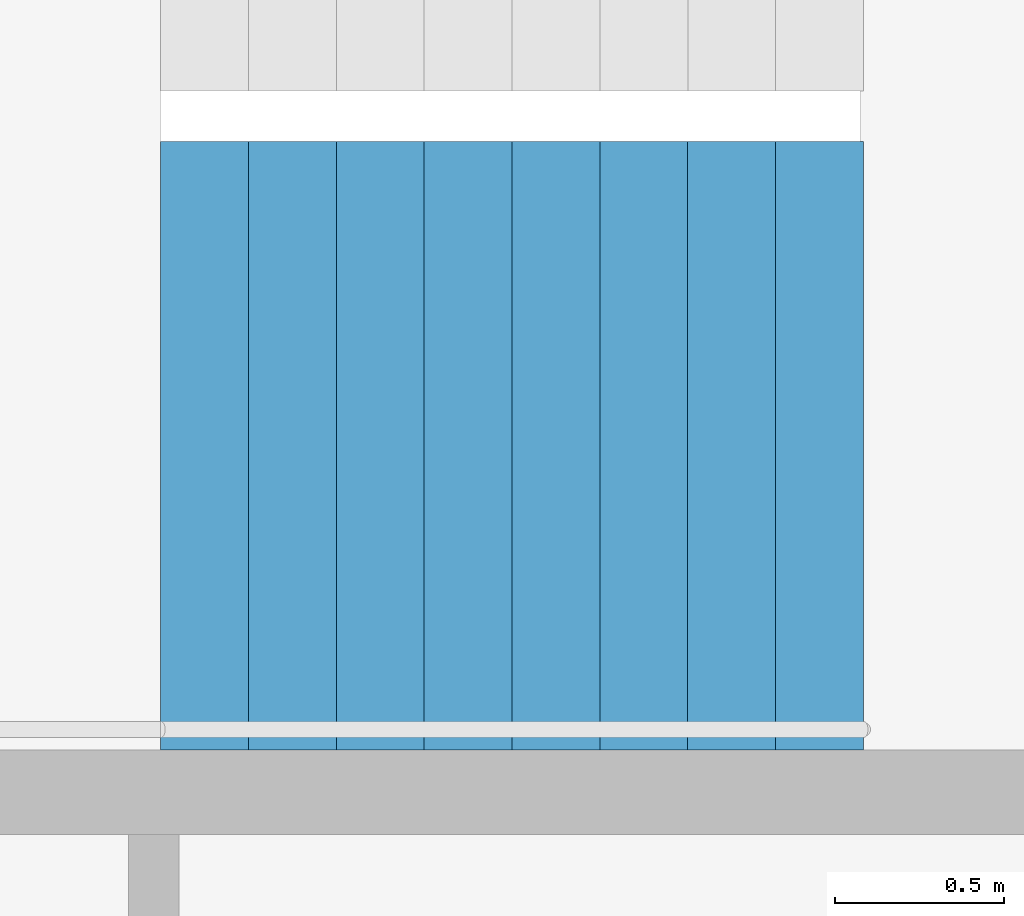
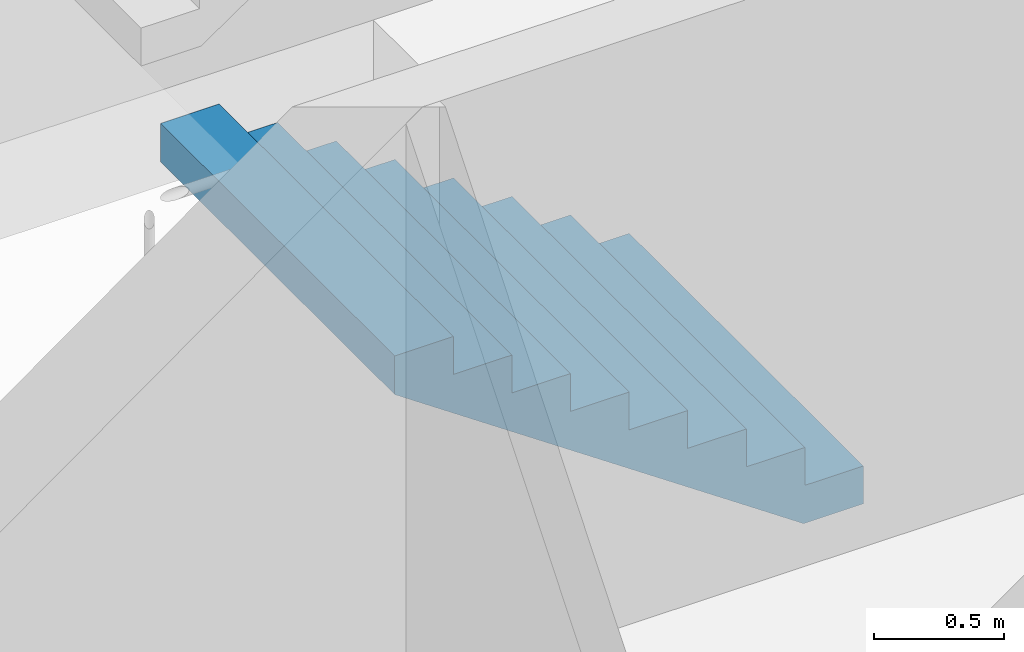
# One storey, part 24 of 26: 1 stair flight, 1 element without a shape of its own.
"""IFC4 building model written with IfcOpenShell, lengths in metres."""

import ifcopenshell
import ifcopenshell.guid

model = None  # the IFC model being written
_history = None  # IfcOwnerHistory: only IFC2X3 demands one
_inside = {}  # id of a spatial element -> (the spatial element, [elements in it])
_under = {}  # id of a project, library or spatial element -> (it, [spatial elements below it])
_declared = {}  # id of a project -> (the project, [libraries it declares])
_typed = {}  # id of a type object -> (the type object, [elements of that type])
_made_of = {}  # id of a material, layer set ... -> (it, [elements and type objects made of it])


def new_model(schema):
    """Start an empty IFC model of exactly this schema.

    Asked for "IFC4X3", IfcOpenShell would pick the latest addendum, in which some entities
    have other attributes; the version numbers below select the first issue.
    IFC2X3 requires an IfcOwnerHistory on every rooted entity: one is made here for all.
    """
    global model, _history
    if schema == "IFC4X3":
        model = ifcopenshell.file(schema_version=(4, 3, 0, 0))
    else:
        model = ifcopenshell.file(schema=schema)
    _inside.clear()
    _under.clear()
    _declared.clear()
    _typed.clear()
    _made_of.clear()
    _history = None
    if model.schema == "IFC2X3":
        org = make("IfcOrganization", Name="unknown")
        user = make(
            "IfcPersonAndOrganization",
            ThePerson=make("IfcPerson", FamilyName="unknown"),
            TheOrganization=org,
        )
        app = make(
            "IfcApplication",
            ApplicationDeveloper=org,
            Version="unknown",
            ApplicationFullName="unknown",
            ApplicationIdentifier="unknown",
        )
        _history = make(
            "IfcOwnerHistory",
            OwningUser=user,
            OwningApplication=app,
            ChangeAction="ADDED",
            CreationDate=0,
        )
    return model


def make(cls, **values):
    """One entity of the class cls with the attributes given. An attribute that is None is left unset."""
    return model.create_entity(
        cls, **{name: value for name, value in values.items() if value is not None}
    )


def rooted(cls, **values):
    """An entity with a GlobalId (a new one), such as an element, a storey or a relation."""
    return make(cls, GlobalId=ifcopenshell.guid.new(), OwnerHistory=_history, **values)


def si_unit(unit_type, name, prefix=None):
    """IfcSIUnit, for example si_unit("LENGTHUNIT", "METRE", prefix="MILLI")."""
    return make("IfcSIUnit", UnitType=unit_type, Prefix=prefix, Name=name)


def assignment(units):
    """IfcUnitAssignment: the units of a project."""
    return None if units is None else make("IfcUnitAssignment", Units=units)


def point(xyz):
    """IfcCartesianPoint."""
    return None if xyz is None else make("IfcCartesianPoint", Coordinates=xyz)


def direction(xyz):
    """IfcDirection."""
    return None if xyz is None else make("IfcDirection", DirectionRatios=xyz)


def frame(location, z_axis=None, x_axis=None):
    """IfcAxis2Placement3D, a coordinate frame: its origin and axes. An axis left out is left unset."""
    return make(
        "IfcAxis2Placement3D",
        Location=point(location),
        Axis=direction(z_axis),
        RefDirection=direction(x_axis),
    )


def origin():
    """The frame at (0, 0, 0) with its axes left unset."""
    return frame((0.0, 0.0, 0.0))


def place(relative_to, where):
    """IfcLocalPlacement: puts the frame where relative to a parent placement (None: the world)."""
    return make(
        "IfcLocalPlacement", PlacementRelTo=relative_to, RelativePlacement=where
    )


def context(
    kind, dimensions, precision=None, world=None, true_north=None, identifier=None
):
    """IfcGeometricRepresentationContext, for example the 3D "Model" context."""
    return make(
        "IfcGeometricRepresentationContext",
        ContextIdentifier=identifier,
        ContextType=kind,
        CoordinateSpaceDimension=dimensions,
        Precision=precision,
        WorldCoordinateSystem=world,
        TrueNorth=true_north,
    )


def subcontext(parent, identifier, kind, view, scale=None):
    """IfcGeometricRepresentationSubContext, for example "Body" below "Model"."""
    return make(
        "IfcGeometricRepresentationSubContext",
        ContextIdentifier=identifier,
        ContextType=kind,
        ParentContext=parent,
        TargetScale=scale,
        TargetView=view,
    )


def project(units=None, contexts=None):
    """IfcProject with its units and contexts."""
    return rooted(
        "IfcProject",
        Name="project",
        RepresentationContexts=contexts,
        UnitsInContext=assignment(units),
    )


def spatial(cls, under=None, at=None, **own):
    """A site, building, storey or space (cls), placed at a placement, below another one or the project."""
    s = rooted(cls, ObjectPlacement=at, **own)
    if under is not None:
        _under.setdefault(under.id(), (under, []))[1].append(s)
    return s


def point_list(points):
    """IfcCartesianPointList2D or 3D."""
    cls = (
        "IfcCartesianPointList2D" if len(points[0]) == 2 else "IfcCartesianPointList3D"
    )
    return make(cls, CoordList=points)


def triangles(points, corners, closed=None, point_numbers=None):
    """IfcTriangulatedFaceSet: each triangle names its three corners, points numbered from 1."""
    return make(
        "IfcTriangulatedFaceSet",
        Coordinates=point_list(points),
        Closed=closed,
        CoordIndex=corners,
        PnIndex=point_numbers,
    )


def shape(context_of_items, identifier, shape_type, items):
    """IfcShapeRepresentation: the items that make up one representation, for example the "Body"."""
    return make(
        "IfcShapeRepresentation",
        ContextOfItems=context_of_items,
        RepresentationIdentifier=identifier,
        RepresentationType=shape_type,
        Items=items,
    )


def material(Name=None, Category=None):
    """IfcMaterial."""
    return make("IfcMaterial", Name=Name, Category=Category)


def made_of(thing, what):
    """Note that an element or type object is made of a material, layer set ...; save() writes the relation."""
    if what is not None:
        _made_of.setdefault(what.id(), (what, []))[1].append(thing)
    return thing


def type_object(cls, material=None, **own):
    """A type object (cls), such as IfcWallType, which elements share."""
    return made_of(rooted(cls, **own), material)


def element(
    cls,
    number,
    at=None,
    inside=None,
    cuts=None,
    type_object=None,
    material=None,
    context=None,
    identifier="Body",
    shape_type=None,
    held_by="IfcProductDefinitionShape",
    body=None,
    shapes=None,
    **own,
):
    """One element of the class cls, such as IfcWall. Its Tag is "e" and its number.

    at: its placement. inside: the storey or other place that contains it. cuts: it is an
    opening in that element (IfcRelVoidsElement). A single representation is given by context,
    identifier, shape_type and body (its items); several are given by shapes. held_by: the class
    of the entity that holds the representations. save() writes the other relations.
    """
    e = rooted(cls, Tag="e%d" % number, ObjectPlacement=at, **own)
    if body is not None:
        shapes = [shape(context, identifier, shape_type, body)]
    if shapes is not None:
        e.Representation = make(held_by, Representations=shapes)
    if inside is not None:
        _inside.setdefault(inside.id(), (inside, []))[1].append(e)
    if cuts is not None:
        rooted(
            "IfcRelVoidsElement", RelatingBuildingElement=cuts, RelatedOpeningElement=e
        )
    if type_object is not None:
        _typed.setdefault(type_object.id(), (type_object, []))[1].append(e)
    return made_of(e, material)


def aggregate(whole, parts):
    """IfcRelAggregates: a whole, such as a stair, and the parts it consists of."""
    return rooted("IfcRelAggregates", RelatingObject=whole, RelatedObjects=parts)


def save(model, path):
    """Write the relations noted so far, then the file.

    IfcRelAggregates (storeys below a building ...), IfcRelContainedInSpatialStructure (elements
    in a storey), IfcRelDefinesByType, IfcRelAssociatesMaterial and IfcRelDeclares: one each for
    every whole, place, type object, material and project.
    """
    for whole, parts in _under.values():
        aggregate(whole, parts)
    for where, things in _inside.values():
        rooted(
            "IfcRelContainedInSpatialStructure",
            RelatedElements=things,
            RelatingStructure=where,
        )
    for kind, things in _typed.values():
        rooted("IfcRelDefinesByType", RelatedObjects=things, RelatingType=kind)
    for what, things in _made_of.values():
        rooted("IfcRelAssociatesMaterial", RelatedObjects=things, RelatingMaterial=what)
    for by, libraries in _declared.values():
        rooted("IfcRelDeclares", RelatingContext=by, RelatedDefinitions=libraries)
    model.write(path)


model = new_model("IFC4")

# Units and contexts
model_context = context("Model", 3, precision=1e-05, world=origin(), true_north=direction((0.0, 1.0)))
body_context = subcontext(model_context, "Body", "Model", "MODEL_VIEW")
ifc_project = project(units=[si_unit("LENGTHUNIT", "METRE"), si_unit("AREAUNIT", "SQUARE_METRE"), si_unit("VOLUMEUNIT", "CUBIC_METRE"), si_unit("PLANEANGLEUNIT", "RADIAN"), si_unit("MASSUNIT", "GRAM", prefix="KILO")], contexts=[model_context])

# Site, building, storey
site_placement = place(None, origin())
site = spatial("IfcSite", under=ifc_project, at=site_placement, CompositionType="ELEMENT")
building_placement = place(site_placement, origin())
building = spatial("IfcBuilding", under=site, at=building_placement, Name="Hakoniwa Tower and Hamabe Station Hall", CompositionType="ELEMENT")
storey_placement = place(building_placement, frame((0.0, 0.0, 189.800048828125)))
storey = spatial("IfcBuildingStorey", under=building, at=storey_placement, Name="L53", CompositionType="ELEMENT", Elevation=189.800048828125)

# Stair, stair flight
ifc_material_1 = material(Name="Concrete C40", Category="concrete")
stair_type = type_object("IfcStairType", Name="ESCAPE STAIR 1800", PredefinedType="HALF_TURN_STAIR", material=ifc_material_1)
stair_placement = place(storey_placement, origin())
stair = element("IfcStair", 1, at=stair_placement, inside=storey, type_object=stair_type, Name="Escape stair ST-3 L53", PredefinedType="HALF_TURN_STAIR")
ifc_material_2 = material(Name="Concrete C40", Category="concrete")
stair_flight_type = type_object("IfcStairFlightType", Name="STAIR FLIGHT 1800", PredefinedType="STRAIGHT", material=ifc_material_2)
stair_flight_placement = place(storey_placement, frame((24.39990234375, 4.64990234375, 0.0), z_axis=(0.0, 0.0, 1.0), x_axis=(-1.0, 0.0, 0.0)))
stair_flight = element("IfcStairFlight", 2, at=stair_flight_placement, type_object=stair_flight_type, Name="ST-3 flight 1", NumberOfRisers=9, NumberOfTreads=8, PredefinedType="STRAIGHT", RiserHeight=0.177777778, TreadLength=0.26, context=body_context, shape_type="Tessellation", body=[
    triangles([(0.0, 0.89990234375, 0.0), (0.260009765625, 0.89990234375, 0.0), (0.265625, 0.89990234375, 0.0), (0.52001953125, 0.89990234375, 0.174072265625), (0.780029296875, 0.89990234375, 0.351806640625), (1.0400390625, 0.89990234375, 0.529541015625), (1.300048828125, 0.89990234375, 0.707275390625), (1.56005859375, 0.89990234375, 0.885009765625), (1.820068359375, 0.89990234375, 1.062744140625), (2.080078125, 0.89990234375, 1.24072265625), (2.080078125, 0.89990234375, 1.422119140625), (1.820068359375, 0.89990234375, 1.422119140625), (1.820068359375, 0.89990234375, 1.244384765625), (1.56005859375, 0.89990234375, 1.244384765625), (1.56005859375, 0.89990234375, 1.066650390625), (1.300048828125, 0.89990234375, 1.066650390625), (1.300048828125, 0.89990234375, 0.888916015625), (1.0400390625, 0.89990234375, 0.888916015625), (1.0400390625, 0.89990234375, 0.711181640625), (0.780029296875, 0.89990234375, 0.711181640625), (0.780029296875, 0.89990234375, 0.533447265625), (0.52001953125, 0.89990234375, 0.533447265625), (0.52001953125, 0.89990234375, 0.35546875), (0.265625, 0.89990234375, 0.35546875), (0.260009765625, 0.89990234375, 0.35546875), (0.260009765625, 0.89990234375, 0.177734375), (0.0, 0.89990234375, 0.177734375), (0.0, 0.06005859375, 0.0), (0.260009765625, 0.06005859375, 0.0), (0.265625, 0.06005859375, 0.0), (0.52001953125, 0.06005859375, 0.174072265625), (0.780029296875, 0.06005859375, 0.351806640625), (1.0400390625, 0.06005859375, 0.529541015625), (1.300048828125, 0.06005859375, 0.707275390625), (1.56005859375, 0.06005859375, 0.885009765625), (1.820068359375, 0.06005859375, 1.062744140625), (2.080078125, 0.06005859375, 1.24072265625), (2.080078125, 0.06005859375, 1.422119140625), (1.820068359375, 0.06005859375, 1.422119140625), (1.820068359375, 0.06005859375, 1.244384765625), (1.56005859375, 0.06005859375, 1.244384765625), (1.56005859375, 0.06005859375, 1.066650390625), (1.300048828125, 0.06005859375, 1.066650390625), (1.300048828125, 0.06005859375, 0.888916015625), (1.0400390625, 0.06005859375, 0.888916015625), (1.0400390625, 0.06005859375, 0.711181640625), (0.780029296875, 0.06005859375, 0.711181640625), (0.780029296875, 0.06005859375, 0.533447265625), (0.52001953125, 0.06005859375, 0.533447265625), (0.52001953125, 0.06005859375, 0.35546875), (0.265625, 0.06005859375, 0.35546875), (0.260009765625, 0.06005859375, 0.35546875), (0.260009765625, 0.06005859375, 0.177734375), (0.0, 0.06005859375, 0.177734375), (0.0, 0.04296875, 0.0), (0.260009765625, 0.04296875, 0.0), (0.265625, 0.04296875, 0.0), (0.52001953125, 0.04296875, 0.174072265625), (0.780029296875, 0.04296875, 0.351806640625), (1.0400390625, 0.04296875, 0.529541015625), (1.300048828125, 0.04296875, 0.707275390625), (1.56005859375, 0.04296875, 0.885009765625), (1.820068359375, 0.04296875, 1.062744140625), (2.080078125, 0.04296875, 1.24072265625), (2.080078125, 0.04296875, 1.422119140625), (1.820068359375, 0.04296875, 1.422119140625), (1.820068359375, 0.04296875, 1.244384765625), (1.56005859375, 0.04296875, 1.244384765625), (1.56005859375, 0.04296875, 1.066650390625), (1.300048828125, 0.04296875, 1.066650390625), (1.300048828125, 0.04296875, 0.888916015625), (1.0400390625, 0.04296875, 0.888916015625), (1.0400390625, 0.04296875, 0.711181640625), (0.780029296875, 0.04296875, 0.711181640625), (0.780029296875, 0.04296875, 0.533447265625), (0.52001953125, 0.04296875, 0.533447265625), (0.52001953125, 0.04296875, 0.35546875), (0.265625, 0.04296875, 0.35546875), (0.260009765625, 0.04296875, 0.35546875), (0.260009765625, 0.04296875, 0.177734375), (0.0, 0.04296875, 0.177734375), (0.0, 0.025634765625, 0.0), (0.260009765625, 0.025634765625, 0.0), (0.265625, 0.025634765625, 0.0), (0.52001953125, 0.025634765625, 0.174072265625), (0.780029296875, 0.025634765625, 0.351806640625), (1.0400390625, 0.025634765625, 0.529541015625), (1.300048828125, 0.025634765625, 0.707275390625), (1.56005859375, 0.025634765625, 0.885009765625), (1.820068359375, 0.025634765625, 1.062744140625), (2.080078125, 0.025634765625, 1.24072265625), (2.080078125, 0.025634765625, 1.422119140625), (1.820068359375, 0.025634765625, 1.422119140625), (1.820068359375, 0.025634765625, 1.244384765625), (1.56005859375, 0.025634765625, 1.244384765625), (1.56005859375, 0.025634765625, 1.066650390625), (1.300048828125, 0.025634765625, 1.066650390625), (1.300048828125, 0.025634765625, 0.888916015625), (1.0400390625, 0.025634765625, 0.888916015625), (1.0400390625, 0.025634765625, 0.711181640625), (0.780029296875, 0.025634765625, 0.711181640625), (0.780029296875, 0.025634765625, 0.533447265625), (0.52001953125, 0.025634765625, 0.533447265625), (0.52001953125, 0.025634765625, 0.35546875), (0.265625, 0.025634765625, 0.35546875), (0.260009765625, 0.025634765625, 0.35546875), (0.260009765625, 0.025634765625, 0.177734375), (0.0, 0.025634765625, 0.177734375), (0.0, 0.008544921875, 0.0), (0.260009765625, 0.008544921875, 0.0), (0.265625, 0.008544921875, 0.0), (0.52001953125, 0.008544921875, 0.174072265625), (0.780029296875, 0.008544921875, 0.351806640625), (1.0400390625, 0.008544921875, 0.529541015625), (1.300048828125, 0.008544921875, 0.707275390625), (1.56005859375, 0.008544921875, 0.885009765625), (1.820068359375, 0.008544921875, 1.062744140625), (2.080078125, 0.008544921875, 1.24072265625), (2.080078125, 0.008544921875, 1.422119140625), (1.820068359375, 0.008544921875, 1.422119140625), (1.820068359375, 0.008544921875, 1.244384765625), (1.56005859375, 0.008544921875, 1.244384765625), (1.56005859375, 0.008544921875, 1.066650390625), (1.300048828125, 0.008544921875, 1.066650390625), (1.300048828125, 0.008544921875, 0.888916015625), (1.0400390625, 0.008544921875, 0.888916015625), (1.0400390625, 0.008544921875, 0.711181640625), (0.780029296875, 0.008544921875, 0.711181640625), (0.780029296875, 0.008544921875, 0.533447265625), (0.52001953125, 0.008544921875, 0.533447265625), (0.52001953125, 0.008544921875, 0.35546875), (0.265625, 0.008544921875, 0.35546875), (0.260009765625, 0.008544921875, 0.35546875), (0.260009765625, 0.008544921875, 0.177734375), (0.0, 0.008544921875, 0.177734375), (0.0, -0.008544921875, 0.0), (0.260009765625, -0.008544921875, 0.0), (0.265625, -0.008544921875, 0.0), (0.52001953125, -0.008544921875, 0.174072265625), (0.780029296875, -0.008544921875, 0.351806640625), (1.0400390625, -0.008544921875, 0.529541015625), (1.300048828125, -0.008544921875, 0.707275390625), (1.56005859375, -0.008544921875, 0.885009765625), (1.820068359375, -0.008544921875, 1.062744140625), (2.080078125, -0.008544921875, 1.24072265625), (2.080078125, -0.008544921875, 1.422119140625), (1.820068359375, -0.008544921875, 1.422119140625), (1.820068359375, -0.008544921875, 1.244384765625), (1.56005859375, -0.008544921875, 1.244384765625), (1.56005859375, -0.008544921875, 1.066650390625), (1.300048828125, -0.008544921875, 1.066650390625), (1.300048828125, -0.008544921875, 0.888916015625), (1.0400390625, -0.008544921875, 0.888916015625), (1.0400390625, -0.008544921875, 0.711181640625), (0.780029296875, -0.008544921875, 0.711181640625), (0.780029296875, -0.008544921875, 0.533447265625), (0.52001953125, -0.008544921875, 0.533447265625), (0.52001953125, -0.008544921875, 0.35546875), (0.265625, -0.008544921875, 0.35546875), (0.260009765625, -0.008544921875, 0.35546875), (0.260009765625, -0.008544921875, 0.177734375), (0.0, -0.008544921875, 0.177734375), (0.0, -0.025634765625, 0.0), (0.260009765625, -0.025634765625, 0.0), (0.265625, -0.025634765625, 0.0), (0.52001953125, -0.025634765625, 0.174072265625), (0.780029296875, -0.025634765625, 0.351806640625), (1.0400390625, -0.025634765625, 0.529541015625), (1.300048828125, -0.025634765625, 0.707275390625), (1.56005859375, -0.025634765625, 0.885009765625), (1.820068359375, -0.025634765625, 1.062744140625), (2.080078125, -0.025634765625, 1.24072265625), (2.080078125, -0.025634765625, 1.422119140625), (1.820068359375, -0.025634765625, 1.422119140625), (1.820068359375, -0.025634765625, 1.244384765625), (1.56005859375, -0.025634765625, 1.244384765625), (1.56005859375, -0.025634765625, 1.066650390625), (1.300048828125, -0.025634765625, 1.066650390625), (1.300048828125, -0.025634765625, 0.888916015625), (1.0400390625, -0.025634765625, 0.888916015625), (1.0400390625, -0.025634765625, 0.711181640625), (0.780029296875, -0.025634765625, 0.711181640625), (0.780029296875, -0.025634765625, 0.533447265625), (0.52001953125, -0.025634765625, 0.533447265625), (0.52001953125, -0.025634765625, 0.35546875), (0.265625, -0.025634765625, 0.35546875), (0.260009765625, -0.025634765625, 0.35546875), (0.260009765625, -0.025634765625, 0.177734375), (0.0, -0.025634765625, 0.177734375), (0.0, -0.04296875, 0.0), (0.260009765625, -0.04296875, 0.0), (0.265625, -0.04296875, 0.0), (0.52001953125, -0.04296875, 0.174072265625), (0.780029296875, -0.04296875, 0.351806640625), (1.0400390625, -0.04296875, 0.529541015625), (1.300048828125, -0.04296875, 0.707275390625), (1.56005859375, -0.04296875, 0.885009765625), (1.820068359375, -0.04296875, 1.062744140625), (2.080078125, -0.04296875, 1.24072265625), (2.080078125, -0.04296875, 1.422119140625), (1.820068359375, -0.04296875, 1.422119140625), (1.820068359375, -0.04296875, 1.244384765625), (1.56005859375, -0.04296875, 1.244384765625), (1.56005859375, -0.04296875, 1.066650390625), (1.300048828125, -0.04296875, 1.066650390625), (1.300048828125, -0.04296875, 0.888916015625), (1.0400390625, -0.04296875, 0.888916015625), (1.0400390625, -0.04296875, 0.711181640625), (0.780029296875, -0.04296875, 0.711181640625), (0.780029296875, -0.04296875, 0.533447265625), (0.52001953125, -0.04296875, 0.533447265625), (0.52001953125, -0.04296875, 0.35546875), (0.265625, -0.04296875, 0.35546875), (0.260009765625, -0.04296875, 0.35546875), (0.260009765625, -0.04296875, 0.177734375), (0.0, -0.04296875, 0.177734375), (0.0, -0.06005859375, 0.0), (0.260009765625, -0.06005859375, 0.0), (0.265625, -0.06005859375, 0.0), (0.52001953125, -0.06005859375, 0.174072265625), (0.780029296875, -0.06005859375, 0.351806640625), (1.0400390625, -0.06005859375, 0.529541015625), (1.300048828125, -0.06005859375, 0.707275390625), (1.56005859375, -0.06005859375, 0.885009765625), (1.820068359375, -0.06005859375, 1.062744140625), (2.080078125, -0.06005859375, 1.24072265625), (2.080078125, -0.06005859375, 1.422119140625), (1.820068359375, -0.06005859375, 1.422119140625), (1.820068359375, -0.06005859375, 1.244384765625), (1.56005859375, -0.06005859375, 1.244384765625), (1.56005859375, -0.06005859375, 1.066650390625), (1.300048828125, -0.06005859375, 1.066650390625), (1.300048828125, -0.06005859375, 0.888916015625), (1.0400390625, -0.06005859375, 0.888916015625), (1.0400390625, -0.06005859375, 0.711181640625), (0.780029296875, -0.06005859375, 0.711181640625), (0.780029296875, -0.06005859375, 0.533447265625), (0.52001953125, -0.06005859375, 0.533447265625), (0.52001953125, -0.06005859375, 0.35546875), (0.265625, -0.06005859375, 0.35546875), (0.260009765625, -0.06005859375, 0.35546875), (0.260009765625, -0.06005859375, 0.177734375), (0.0, -0.06005859375, 0.177734375), (0.0, -0.89990234375, 0.0), (0.260009765625, -0.89990234375, 0.0), (0.265625, -0.89990234375, 0.0), (0.52001953125, -0.89990234375, 0.174072265625), (0.780029296875, -0.89990234375, 0.351806640625), (1.0400390625, -0.89990234375, 0.529541015625), (1.300048828125, -0.89990234375, 0.707275390625), (1.56005859375, -0.89990234375, 0.885009765625), (1.820068359375, -0.89990234375, 1.062744140625), (2.080078125, -0.89990234375, 1.24072265625), (2.080078125, -0.89990234375, 1.422119140625), (1.820068359375, -0.89990234375, 1.422119140625), (1.820068359375, -0.89990234375, 1.244384765625), (1.56005859375, -0.89990234375, 1.244384765625), (1.56005859375, -0.89990234375, 1.066650390625), (1.300048828125, -0.89990234375, 1.066650390625), (1.300048828125, -0.89990234375, 0.888916015625), (1.0400390625, -0.89990234375, 0.888916015625), (1.0400390625, -0.89990234375, 0.711181640625), (0.780029296875, -0.89990234375, 0.711181640625), (0.780029296875, -0.89990234375, 0.533447265625), (0.52001953125, -0.89990234375, 0.533447265625), (0.52001953125, -0.89990234375, 0.35546875), (0.265625, -0.89990234375, 0.35546875), (0.260009765625, -0.89990234375, 0.35546875), (0.260009765625, -0.89990234375, 0.177734375), (0.0, -0.89990234375, 0.177734375)], [[2, 27, 26], [245, 269, 270], [2, 1, 27], [245, 270, 244], [3, 25, 24], [246, 267, 268], [3, 26, 25], [246, 268, 269], [3, 2, 26], [246, 269, 245], [4, 24, 23], [247, 266, 267], [4, 3, 24], [247, 267, 246], [5, 22, 21], [248, 264, 265], [5, 23, 22], [248, 265, 266], [5, 4, 23], [248, 266, 247], [6, 20, 19], [249, 262, 263], [6, 21, 20], [249, 263, 264], [6, 5, 21], [249, 264, 248], [7, 18, 17], [250, 260, 261], [7, 19, 18], [250, 261, 262], [7, 6, 19], [250, 262, 249], [8, 16, 15], [251, 258, 259], [8, 17, 16], [251, 259, 260], [8, 7, 17], [251, 260, 250], [9, 14, 13], [252, 256, 257], [9, 15, 14], [252, 257, 258], [9, 8, 15], [252, 258, 251], [10, 12, 11], [253, 254, 255], [10, 13, 12], [253, 255, 256], [10, 9, 13], [253, 256, 252], [1, 2, 29], [1, 29, 28], [28, 29, 56], [28, 56, 55], [55, 56, 83], [55, 83, 82], [82, 83, 110], [82, 110, 109], [109, 110, 137], [109, 137, 136], [136, 137, 164], [136, 164, 163], [163, 164, 191], [163, 191, 190], [190, 191, 218], [190, 218, 217], [217, 218, 245], [217, 245, 244], [2, 3, 30], [2, 30, 29], [29, 30, 57], [29, 57, 56], [56, 57, 84], [56, 84, 83], [83, 84, 111], [83, 111, 110], [110, 111, 138], [110, 138, 137], [137, 138, 165], [137, 165, 164], [164, 165, 192], [164, 192, 191], [191, 192, 219], [191, 219, 218], [218, 219, 246], [218, 246, 245], [3, 4, 31], [3, 31, 30], [30, 31, 58], [30, 58, 57], [57, 58, 85], [57, 85, 84], [84, 85, 112], [84, 112, 111], [111, 112, 139], [111, 139, 138], [138, 139, 166], [138, 166, 165], [165, 166, 193], [165, 193, 192], [192, 193, 220], [192, 220, 219], [219, 220, 247], [219, 247, 246], [4, 5, 32], [4, 32, 31], [31, 32, 59], [31, 59, 58], [58, 59, 86], [58, 86, 85], [85, 86, 113], [85, 113, 112], [112, 113, 140], [112, 140, 139], [139, 140, 167], [139, 167, 166], [166, 167, 194], [166, 194, 193], [193, 194, 221], [193, 221, 220], [220, 221, 248], [220, 248, 247], [5, 6, 33], [5, 33, 32], [32, 33, 60], [32, 60, 59], [59, 60, 87], [59, 87, 86], [86, 87, 114], [86, 114, 113], [113, 114, 141], [113, 141, 140], [140, 141, 168], [140, 168, 167], [167, 168, 195], [167, 195, 194], [194, 195, 222], [194, 222, 221], [221, 222, 249], [221, 249, 248], [6, 7, 34], [6, 34, 33], [33, 34, 61], [33, 61, 60], [60, 61, 88], [60, 88, 87], [87, 88, 115], [87, 115, 114], [114, 115, 142], [114, 142, 141], [141, 142, 169], [141, 169, 168], [168, 169, 196], [168, 196, 195], [195, 196, 223], [195, 223, 222], [222, 223, 250], [222, 250, 249], [7, 8, 35], [7, 35, 34], [34, 35, 62], [34, 62, 61], [61, 62, 89], [61, 89, 88], [88, 89, 116], [88, 116, 115], [115, 116, 143], [115, 143, 142], [142, 143, 170], [142, 170, 169], [169, 170, 197], [169, 197, 196], [196, 197, 224], [196, 224, 223], [223, 224, 251], [223, 251, 250], [8, 9, 36], [8, 36, 35], [35, 36, 63], [35, 63, 62], [62, 63, 90], [62, 90, 89], [89, 90, 117], [89, 117, 116], [116, 117, 144], [116, 144, 143], [143, 144, 171], [143, 171, 170], [170, 171, 198], [170, 198, 197], [197, 198, 225], [197, 225, 224], [224, 225, 252], [224, 252, 251], [9, 10, 37], [9, 37, 36], [36, 37, 64], [36, 64, 63], [63, 64, 91], [63, 91, 90], [90, 91, 118], [90, 118, 117], [117, 118, 145], [117, 145, 144], [144, 145, 172], [144, 172, 171], [171, 172, 199], [171, 199, 198], [198, 199, 226], [198, 226, 225], [225, 226, 253], [225, 253, 252], [10, 11, 38], [10, 38, 37], [37, 38, 65], [37, 65, 64], [64, 65, 92], [64, 92, 91], [91, 92, 119], [91, 119, 118], [118, 119, 146], [118, 146, 145], [145, 146, 173], [145, 173, 172], [172, 173, 200], [172, 200, 199], [199, 200, 227], [199, 227, 226], [226, 227, 254], [226, 254, 253], [11, 12, 39], [11, 39, 38], [38, 39, 66], [38, 66, 65], [65, 66, 93], [65, 93, 92], [92, 93, 120], [92, 120, 119], [119, 120, 147], [119, 147, 146], [146, 147, 174], [146, 174, 173], [173, 174, 201], [173, 201, 200], [200, 201, 228], [200, 228, 227], [227, 228, 255], [227, 255, 254], [12, 13, 40], [12, 40, 39], [39, 40, 67], [39, 67, 66], [66, 67, 94], [66, 94, 93], [93, 94, 121], [93, 121, 120], [120, 121, 148], [120, 148, 147], [147, 148, 175], [147, 175, 174], [174, 175, 202], [174, 202, 201], [201, 202, 229], [201, 229, 228], [228, 229, 256], [228, 256, 255], [13, 14, 41], [13, 41, 40], [40, 41, 68], [40, 68, 67], [67, 68, 95], [67, 95, 94], [94, 95, 122], [94, 122, 121], [121, 122, 149], [121, 149, 148], [148, 149, 176], [148, 176, 175], [175, 176, 203], [175, 203, 202], [202, 203, 230], [202, 230, 229], [229, 230, 257], [229, 257, 256], [14, 15, 42], [14, 42, 41], [41, 42, 69], [41, 69, 68], [68, 69, 96], [68, 96, 95], [95, 96, 123], [95, 123, 122], [122, 123, 150], [122, 150, 149], [149, 150, 177], [149, 177, 176], [176, 177, 204], [176, 204, 203], [203, 204, 231], [203, 231, 230], [230, 231, 258], [230, 258, 257], [15, 16, 43], [15, 43, 42], [42, 43, 70], [42, 70, 69], [69, 70, 97], [69, 97, 96], [96, 97, 124], [96, 124, 123], [123, 124, 151], [123, 151, 150], [150, 151, 178], [150, 178, 177], [177, 178, 205], [177, 205, 204], [204, 205, 232], [204, 232, 231], [231, 232, 259], [231, 259, 258], [16, 17, 44], [16, 44, 43], [43, 44, 71], [43, 71, 70], [70, 71, 98], [70, 98, 97], [97, 98, 125], [97, 125, 124], [124, 125, 152], [124, 152, 151], [151, 152, 179], [151, 179, 178], [178, 179, 206], [178, 206, 205], [205, 206, 233], [205, 233, 232], [232, 233, 260], [232, 260, 259], [17, 18, 45], [17, 45, 44], [44, 45, 72], [44, 72, 71], [71, 72, 99], [71, 99, 98], [98, 99, 126], [98, 126, 125], [125, 126, 153], [125, 153, 152], [152, 153, 180], [152, 180, 179], [179, 180, 207], [179, 207, 206], [206, 207, 234], [206, 234, 233], [233, 234, 261], [233, 261, 260], [18, 19, 46], [18, 46, 45], [45, 46, 73], [45, 73, 72], [72, 73, 100], [72, 100, 99], [99, 100, 127], [99, 127, 126], [126, 127, 154], [126, 154, 153], [153, 154, 181], [153, 181, 180], [180, 181, 208], [180, 208, 207], [207, 208, 235], [207, 235, 234], [234, 235, 262], [234, 262, 261], [19, 20, 47], [19, 47, 46], [46, 47, 74], [46, 74, 73], [73, 74, 101], [73, 101, 100], [100, 101, 128], [100, 128, 127], [127, 128, 155], [127, 155, 154], [154, 155, 182], [154, 182, 181], [181, 182, 209], [181, 209, 208], [208, 209, 236], [208, 236, 235], [235, 236, 263], [235, 263, 262], [20, 21, 48], [20, 48, 47], [47, 48, 75], [47, 75, 74], [74, 75, 102], [74, 102, 101], [101, 102, 129], [101, 129, 128], [128, 129, 156], [128, 156, 155], [155, 156, 183], [155, 183, 182], [182, 183, 210], [182, 210, 209], [209, 210, 237], [209, 237, 236], [236, 237, 264], [236, 264, 263], [21, 22, 49], [21, 49, 48], [48, 49, 76], [48, 76, 75], [75, 76, 103], [75, 103, 102], [102, 103, 130], [102, 130, 129], [129, 130, 157], [129, 157, 156], [156, 157, 184], [156, 184, 183], [183, 184, 211], [183, 211, 210], [210, 211, 238], [210, 238, 237], [237, 238, 265], [237, 265, 264], [22, 23, 50], [22, 50, 49], [49, 50, 77], [49, 77, 76], [76, 77, 104], [76, 104, 103], [103, 104, 131], [103, 131, 130], [130, 131, 158], [130, 158, 157], [157, 158, 185], [157, 185, 184], [184, 185, 212], [184, 212, 211], [211, 212, 239], [211, 239, 238], [238, 239, 266], [238, 266, 265], [23, 24, 51], [23, 51, 50], [50, 51, 78], [50, 78, 77], [77, 78, 105], [77, 105, 104], [104, 105, 132], [104, 132, 131], [131, 132, 159], [131, 159, 158], [158, 159, 186], [158, 186, 185], [185, 186, 213], [185, 213, 212], [212, 213, 240], [212, 240, 239], [239, 240, 267], [239, 267, 266], [24, 25, 52], [24, 52, 51], [51, 52, 79], [51, 79, 78], [78, 79, 106], [78, 106, 105], [105, 106, 133], [105, 133, 132], [132, 133, 160], [132, 160, 159], [159, 160, 187], [159, 187, 186], [186, 187, 214], [186, 214, 213], [213, 214, 241], [213, 241, 240], [240, 241, 268], [240, 268, 267], [25, 26, 53], [25, 53, 52], [52, 53, 80], [52, 80, 79], [79, 80, 107], [79, 107, 106], [106, 107, 134], [106, 134, 133], [133, 134, 161], [133, 161, 160], [160, 161, 188], [160, 188, 187], [187, 188, 215], [187, 215, 214], [214, 215, 242], [214, 242, 241], [241, 242, 269], [241, 269, 268], [26, 27, 54], [26, 54, 53], [53, 54, 81], [53, 81, 80], [80, 81, 108], [80, 108, 107], [107, 108, 135], [107, 135, 134], [134, 135, 162], [134, 162, 161], [161, 162, 189], [161, 189, 188], [188, 189, 216], [188, 216, 215], [215, 216, 243], [215, 243, 242], [242, 243, 270], [242, 270, 269], [27, 1, 28], [27, 28, 54], [54, 28, 55], [54, 55, 81], [81, 55, 82], [81, 82, 108], [108, 82, 109], [108, 109, 135], [135, 109, 136], [135, 136, 162], [162, 136, 163], [162, 163, 189], [189, 163, 190], [189, 190, 216], [216, 190, 217], [216, 217, 243], [243, 217, 244], [243, 244, 270]], closed=True),
])
aggregate(stair, [stair_flight])

save(model, "model.ifc")
